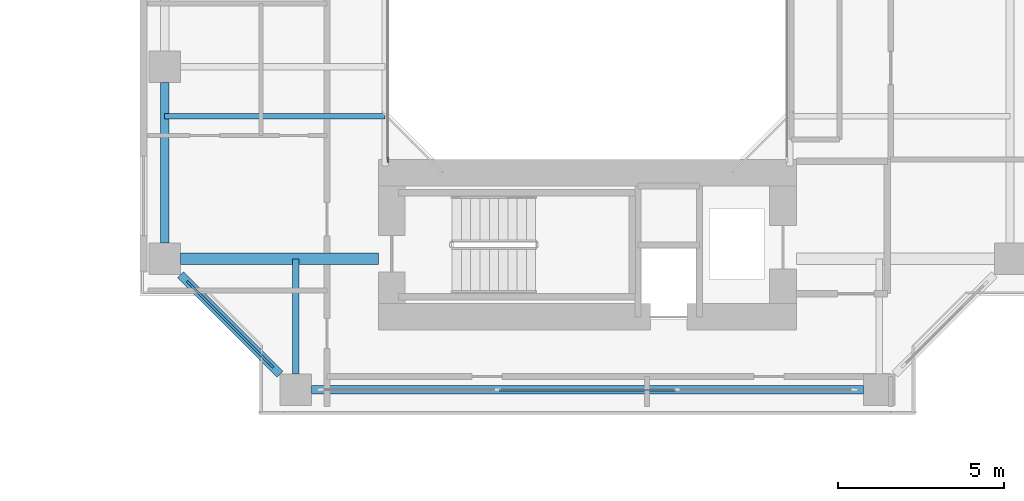
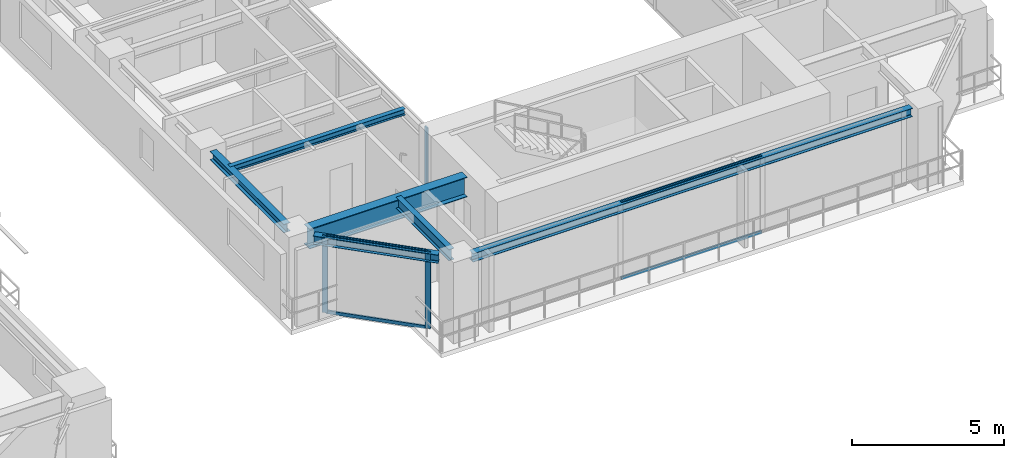
# One storey, part 6 of 23: 7 members, 6 beams, 3 elements without a shape of their own.
"""IFC4 building model written with IfcOpenShell, lengths in metres."""

from ifc_helpers import new_model, si_unit, direction, frame, origin, origin_2d, place, context, subcontext, project, spatial, rectangle, i_section, extrude, source, transform, mapped, material, layer, layer_set, material_profile, profile_set, type_object, element, aggregate, save


model = new_model("IFC4")

# Units and contexts
model_context = context("Model", 3, precision=1e-05, world=origin(), true_north=direction((0.0, 1.0)))
body_context = subcontext(model_context, "Body", "Model", "MODEL_VIEW")
ifc_project = project(units=[si_unit("LENGTHUNIT", "METRE"), si_unit("AREAUNIT", "SQUARE_METRE"), si_unit("VOLUMEUNIT", "CUBIC_METRE"), si_unit("PLANEANGLEUNIT", "RADIAN"), si_unit("MASSUNIT", "GRAM", prefix="KILO"), si_unit("THERMODYNAMICTEMPERATUREUNIT", "KELVIN"), si_unit("POWERUNIT", "WATT")], contexts=[model_context])

# Site, building, storey
site_placement = place(None, origin())
site = spatial("IfcSite", under=ifc_project, at=site_placement, CompositionType="ELEMENT")
building_placement = place(site_placement, origin())
building = spatial("IfcBuilding", under=site, at=building_placement, Name="Qiaomeng Ring Towers", CompositionType="ELEMENT")
storey_placement = place(building_placement, frame((0.0, 0.0, 29.5)))
storey = spatial("IfcBuildingStorey", under=building, at=storey_placement, Name="L07", CompositionType="ELEMENT", Elevation=29.5)

# Beams
ifc_material_1 = material(Name="Steel Q355B", Category="steel")
ifc_material_profile_1 = material_profile(ifc_material_1, i_section(OverallWidth=0.25, OverallDepth=0.340087890625, WebThickness=0.009033203125, FlangeThickness=0.013916015625, FilletRadius=0.02001953125, at=origin_2d()), Name="HM 340x250x9x14")
ifc_profile_set_1 = profile_set([ifc_material_profile_1], Name="Steel Q355B")
beam_type_1 = type_object("IfcBeamType", Name="STR-BM-HM340", PredefinedType="SPANDREL", material=ifc_profile_set_1)
shared_shape_1 = source(origin(), body_context, "Body", "SweptSolid", [
    extrude(i_section(OverallWidth=0.25, OverallDepth=0.340087890625, WebThickness=0.009033203125, FlangeThickness=0.013916015625, FilletRadius=0.02001953125, at=origin_2d()), origin(), (0.0, 0.0, 1.0), 16.65185546875),
])
beam_1_placement = place(storey_placement, frame((52.174072265625, 10.25, 2.89990234375), z_axis=(1.0, 0.0, 0.0), x_axis=(0.0, 1.0, 0.0)))
element("IfcBeam", 1, at=beam_1_placement, inside=storey, type_object=beam_type_1, Name="L07 beam STR-SP-L07-T2-S1-S2", PredefinedType="SPANDREL", context=body_context, shape_type="MappedRepresentation", body=[
    mapped(shared_shape_1, transform((0.0, 0.0, 0.0), x_axis=(1.0, 0.0, 0.0), y_axis=(0.0, 1.0, 0.0), z_axis=(0.0, 0.0, 1.0), scale=1.0)),
])
shared_shape_2 = source(origin(), body_context, "Body", "SweptSolid", [
    extrude(i_section(OverallWidth=0.25, OverallDepth=0.340087890625, WebThickness=0.009033203125, FlangeThickness=0.013916015625, FilletRadius=0.02001953125, at=origin_2d()), origin(), (0.0, 0.0, 1.0), 4.244384765625),
])
beam_2_placement = place(storey_placement, frame((48.224365234375, 13.7255859375, 2.89990234375), z_axis=(0.707106781187, -0.707106781187, 0.0), x_axis=(0.707106781187, 0.707106781187, 0.0)))
element("IfcBeam", 2, at=beam_2_placement, inside=storey, type_object=beam_type_1, Name="L07 beam STR-SP-L07-T2-W1-S1", PredefinedType="SPANDREL", context=body_context, shape_type="MappedRepresentation", body=[
    mapped(shared_shape_2, transform((0.0, 0.0, 0.0), x_axis=(1.0, 0.0, 0.0), y_axis=(0.0, 1.0, 0.0), z_axis=(0.0, 0.0, 1.0), scale=1.0)),
])
shared_shape_3 = source(origin(), body_context, "Body", "SweptSolid", [
    extrude(i_section(OverallWidth=0.25, OverallDepth=0.340087890625, WebThickness=0.009033203125, FlangeThickness=0.013916015625, FilletRadius=0.02001953125, at=origin_2d()), origin(), (0.0, 0.0, 1.0), 4.851806640625),
])
beam_3_placement = place(storey_placement, frame((47.75, 19.52587890625, 2.89990234375), z_axis=(0.0, -1.0, 0.0), x_axis=(1.0, 0.0, 0.0)))
element("IfcBeam", 3, at=beam_3_placement, inside=storey, type_object=beam_type_1, Name="L07 beam STR-SP-L07-T2-W2-W1", PredefinedType="SPANDREL", context=body_context, shape_type="MappedRepresentation", body=[
    mapped(shared_shape_3, transform((0.0, 0.0, 0.0), x_axis=(1.0, 0.0, 0.0), y_axis=(0.0, 1.0, 0.0), z_axis=(0.0, 0.0, 1.0), scale=1.0)),
])
ifc_material_2 = material(Name="Steel Q390GJC", Category="steel")
ifc_material_profile_2 = material_profile(ifc_material_2, i_section(OverallWidth=0.35009765625, OverallDepth=0.800048828125, WebThickness=0.01611328125, FlangeThickness=0.028076171875, at=origin_2d()), Name="WH 800x350x16x28")
ifc_profile_set_2 = profile_set([ifc_material_profile_2], Name="Steel Q390GJC")
beam_type_2 = type_object("IfcBeamType", Name="STR-BM-WH800", PredefinedType="BEAM", material=ifc_profile_set_2)
shared_shape_4 = source(origin(), body_context, "Body", "SweptSolid", [
    extrude(i_section(OverallWidth=0.35009765625, OverallDepth=0.800048828125, WebThickness=0.01611328125, FlangeThickness=0.028076171875, at=origin_2d()), origin(), (0.0, 0.0, 1.0), 5.975830078125),
])
beam_4_placement = place(storey_placement, frame((48.22412109375, 14.199951171875, 2.669921875), z_axis=(1.0, 0.0, 0.0), x_axis=(0.0, 1.0, 0.0)))
element("IfcBeam", 4, at=beam_4_placement, inside=storey, type_object=beam_type_2, Name="L07 beam STR-BM-L07-T2-RAD-W1", PredefinedType="BEAM", context=body_context, shape_type="MappedRepresentation", body=[
    mapped(shared_shape_4, transform((0.0, 0.0, 0.0), x_axis=(1.0, 0.0, 0.0), y_axis=(0.0, 1.0, 0.0), z_axis=(0.0, 0.0, 1.0), scale=1.0)),
])
ifc_material_profile_3 = material_profile(ifc_material_1, i_section(OverallWidth=0.199951171875, OverallDepth=0.449951171875, WebThickness=0.009033203125, FlangeThickness=0.013916015625, FilletRadius=0.01806640625, at=origin_2d()), Name="HN 450x200x9x14")
ifc_profile_set_3 = profile_set([ifc_material_profile_3], Name="Steel Q355B")
beam_type_3 = type_object("IfcBeamType", Name="STR-BM-HN450", PredefinedType="SPANDREL", material=ifc_profile_set_3)
shared_shape_5 = source(origin(), body_context, "Body", "SweptSolid", [
    extrude(i_section(OverallWidth=0.199951171875, OverallDepth=0.449951171875, WebThickness=0.009033203125, FlangeThickness=0.013916015625, FilletRadius=0.01806640625, at=origin_2d()), origin(), (0.0, 0.0, 1.0), 3.475830078125),
])
beam_5_placement = place(storey_placement, frame((51.699951171875, 10.72412109375, 2.844970703125), z_axis=(0.0, 1.0, 0.0), x_axis=(-1.0, 0.0, 0.0)))
element("IfcBeam", 5, at=beam_5_placement, inside=storey, type_object=beam_type_3, Name="L07 beam STR-BM-L07-T2-RAD-S1", PredefinedType="SPANDREL", context=body_context, shape_type="MappedRepresentation", body=[
    mapped(shared_shape_5, transform((0.0, 0.0, 0.0), x_axis=(1.0, 0.0, 0.0), y_axis=(0.0, 1.0, 0.0), z_axis=(0.0, 0.0, 1.0), scale=1.0)),
])
ifc_material_profile_4 = material_profile(ifc_material_1, i_section(OverallWidth=0.175048828125, OverallDepth=0.243896484375, WebThickness=0.007080078125, FlangeThickness=0.010986328125, FilletRadius=0.01611328125, at=origin_2d()), Name="HM 244x175x7x11")
ifc_profile_set_4 = profile_set([ifc_material_profile_4], Name="Steel Q355B")
beam_type_4 = type_object("IfcBeamType", Name="STR-BM-HM244", PredefinedType="JOIST", material=ifc_profile_set_4)
shared_shape_6 = source(origin(), body_context, "Body", "SweptSolid", [
    extrude(i_section(OverallWidth=0.175048828125, OverallDepth=0.243896484375, WebThickness=0.007080078125, FlangeThickness=0.010986328125, FilletRadius=0.01611328125, at=origin_2d()), origin(), (0.0, 0.0, 1.0), 6.64990234375),
])
beam_6_placement = place(storey_placement, frame((47.75, 18.5, 2.947998046875), z_axis=(1.0, 0.0, 0.0), x_axis=(0.0, 1.0, 0.0)))
element("IfcBeam", 6, at=beam_6_placement, inside=storey, type_object=beam_type_4, Name="L07 beam STR-JST-L07-T2W-1", PredefinedType="JOIST", context=body_context, shape_type="MappedRepresentation", body=[
    mapped(shared_shape_6, transform((0.0, 0.0, 0.0), x_axis=(1.0, 0.0, 0.0), y_axis=(0.0, 1.0, 0.0), z_axis=(0.0, 0.0, 1.0), scale=1.0)),
])

# Curtain wall, member
ifc_material_3 = material(Name="Fluorocarbon dark-grey aluminium", Category="aluminium")
ifc_layer_1 = layer(ifc_material_3, 0.139892578125, Name="Fluorocarbon dark-grey aluminium")
ifc_layer_set_1 = layer_set([ifc_layer_1], Name="Fluorocarbon dark-grey aluminium")
curtain_wall_type_1 = type_object("IfcCurtainWallType", Name="ARC-CW-4", PredefinedType="NOTDEFINED", material=ifc_layer_set_1)
curtain_wall_1_placement = place(storey_placement, origin())
curtain_wall_1 = element("IfcCurtainWall", 7, at=curtain_wall_1_placement, inside=storey, type_object=curtain_wall_type_1, Name="L07 Curtain Wall CW4", PredefinedType="NOTDEFINED")
ifc_material_profile_5 = material_profile(ifc_material_3, rectangle(XDim=0.06494140625, YDim=0.159912109375, at=origin_2d()), Name="ALU MULL 65x160")
ifc_profile_set_5 = profile_set([ifc_material_profile_5], Name="Fluorocarbon dark-grey aluminium")
member_type_1 = type_object("IfcMemberType", Name="ARC-CWM-140", PredefinedType="MULLION", material=ifc_profile_set_5)
shared_shape_7 = source(origin(), body_context, "Body", "SweptSolid", [
    extrude(rectangle(XDim=0.06494140625, YDim=0.159912109375, at=origin_2d()), origin(), (0.0, 0.0, 1.0), 3.070068359375),
])
member_1_placement = place(storey_placement, frame((54.47998046875, 17.1826171875, 0.0), z_axis=(0.0, 0.0, 1.0), x_axis=(-1.0, 0.0, 0.0)))
member_1 = element("IfcMember", 8, at=member_1_placement, type_object=member_type_1, Name="CW4 mullion 1", PredefinedType="MULLION", context=body_context, shape_type="MappedRepresentation", body=[
    mapped(shared_shape_7, transform((0.0, 0.0, 0.0), x_axis=(1.0, 0.0, 0.0), y_axis=(0.0, 1.0, 0.0), z_axis=(0.0, 0.0, 1.0), scale=1.0)),
])
aggregate(curtain_wall_1, [member_1])

# Curtain wall, members
ifc_layer_2 = layer(ifc_material_3, 0.14990234375, Name="Fluorocarbon dark-grey aluminium")
ifc_layer_set_2 = layer_set([ifc_layer_2], Name="Fluorocarbon dark-grey aluminium")
curtain_wall_type_2 = type_object("IfcCurtainWallType", Name="ARC-CW-5", PredefinedType="NOTDEFINED", material=ifc_layer_set_2)
curtain_wall_2_placement = place(storey_placement, origin())
curtain_wall_2 = element("IfcCurtainWall", 9, at=curtain_wall_2_placement, inside=storey, type_object=curtain_wall_type_2, Name="L07 Curtain Wall CW5", PredefinedType="NOTDEFINED")
ifc_material_profile_6 = material_profile(ifc_material_3, rectangle(XDim=0.070068359375, YDim=0.179931640625, at=origin_2d()), Name="ALU MULL 70x180")
ifc_profile_set_6 = profile_set([ifc_material_profile_6], Name="Fluorocarbon dark-grey aluminium")
member_type_2 = type_object("IfcMemberType", Name="ARC-CWM-160", PredefinedType="MULLION", material=ifc_profile_set_6)
shared_shape_8 = source(origin(), body_context, "Body", "SweptSolid", [
    extrude(rectangle(XDim=0.070068359375, YDim=0.179931640625, at=origin_2d()), origin(), (0.0, 0.0, 1.0), 3.070068359375),
])
member_2_placement = place(storey_placement, frame((48.48974609375, 13.460205078125, 0.0), z_axis=(0.0, 0.0, 1.0), x_axis=(0.707106781187, 0.707106781187, 0.0)))
member_2 = element("IfcMember", 10, at=member_2_placement, type_object=member_type_2, Name="CW5 mullion 1", PredefinedType="MULLION", context=body_context, shape_type="MappedRepresentation", body=[
    mapped(shared_shape_8, transform((0.0, 0.0, 0.0), x_axis=(1.0, 0.0, 0.0), y_axis=(0.0, 1.0, 0.0), z_axis=(0.0, 0.0, 1.0), scale=1.0)),
])
member_3_placement = place(storey_placement, frame((50.960205078125, 10.98974609375, 0.0), z_axis=(0.0, 0.0, 1.0), x_axis=(0.707106781187, 0.707106781187, 0.0)))
member_3 = element("IfcMember", 11, at=member_3_placement, type_object=member_type_2, Name="CW5 mullion 2", PredefinedType="MULLION", context=body_context, shape_type="MappedRepresentation", body=[
    mapped(shared_shape_8, transform((0.0, 0.0, 0.0), x_axis=(1.0, 0.0, 0.0), y_axis=(0.0, 1.0, 0.0), z_axis=(0.0, 0.0, 1.0), scale=1.0)),
])

curtain_wall_3_placement = place(storey_placement, origin())
curtain_wall_3 = element("IfcCurtainWall", 12, at=curtain_wall_3_placement, inside=storey, type_object=curtain_wall_type_2, Name="L07 Curtain Wall CW5", PredefinedType="NOTDEFINED")
ifc_material_profile_7 = material_profile(ifc_material_3, rectangle(XDim=0.06494140625, YDim=0.1298828125, at=origin_2d()), Name="ALU TRAN 65x130")
ifc_profile_set_7 = profile_set([ifc_material_profile_7], Name="Fluorocarbon dark-grey aluminium")
member_type_3 = type_object("IfcMemberType", Name="ARC-CWT-120", PredefinedType="USERDEFINED", material=ifc_profile_set_7)
shared_shape_9 = source(origin(), body_context, "Body", "SweptSolid", [
    extrude(rectangle(XDim=0.06494140625, YDim=0.1298828125, at=origin_2d()), origin(), (0.0, 0.0, 1.0), 5.31982421875),
])
member_4_placement = place(storey_placement, frame((57.840087890625, 10.25, 0.032470703125), z_axis=(1.0, 0.0, 0.0), x_axis=(0.0, 1.0, 0.0)))
member_4 = element("IfcMember", 13, at=member_4_placement, type_object=member_type_3, Name="CW5 transom 2.1", ObjectType="TRANSOM", PredefinedType="USERDEFINED", context=body_context, shape_type="MappedRepresentation", body=[
    mapped(shared_shape_9, transform((0.0, 0.0, 0.0), x_axis=(1.0, 0.0, 0.0), y_axis=(0.0, 1.0, 0.0), z_axis=(0.0, 0.0, 1.0), scale=1.0)),
])
member_5_placement = place(storey_placement, frame((57.840087890625, 10.25, 3.03759765625), z_axis=(1.0, 0.0, 0.0), x_axis=(0.0, 1.0, 0.0)))
member_5 = element("IfcMember", 14, at=member_5_placement, type_object=member_type_3, Name="CW5 transom 2.2", ObjectType="TRANSOM", PredefinedType="USERDEFINED", context=body_context, shape_type="MappedRepresentation", body=[
    mapped(shared_shape_9, transform((0.0, 0.0, 0.0), x_axis=(1.0, 0.0, 0.0), y_axis=(0.0, 1.0, 0.0), z_axis=(0.0, 0.0, 1.0), scale=1.0)),
])
aggregate(curtain_wall_3, [member_4, member_5])

# Member
shared_shape_10 = source(origin(), body_context, "Body", "SweptSolid", [
    extrude(rectangle(XDim=0.06494140625, YDim=0.1298828125, at=origin_2d()), origin(), (0.0, 0.0, 1.0), 3.424072265625),
])
member_6_placement = place(storey_placement, frame((48.514404296875, 13.435546875, 0.032470703125), z_axis=(0.707106781187, -0.707106781187, 0.0), x_axis=(0.707106781187, 0.707106781187, 0.0)))
member_6 = element("IfcMember", 15, at=member_6_placement, type_object=member_type_3, Name="CW5 transom 1.1", ObjectType="TRANSOM", PredefinedType="USERDEFINED", context=body_context, shape_type="MappedRepresentation", body=[
    mapped(shared_shape_10, transform((0.0, 0.0, 0.0), x_axis=(1.0, 0.0, 0.0), y_axis=(0.0, 1.0, 0.0), z_axis=(0.0, 0.0, 1.0), scale=1.0)),
])

member_7_placement = place(storey_placement, frame((48.514404296875, 13.435546875, 3.03759765625), z_axis=(0.707106781187, -0.707106781187, 0.0), x_axis=(0.707106781187, 0.707106781187, 0.0)))
member_7 = element("IfcMember", 16, at=member_7_placement, type_object=member_type_3, Name="CW5 transom 1.2", ObjectType="TRANSOM", PredefinedType="USERDEFINED", context=body_context, shape_type="MappedRepresentation", body=[
    mapped(shared_shape_10, transform((0.0, 0.0, 0.0), x_axis=(1.0, 0.0, 0.0), y_axis=(0.0, 1.0, 0.0), z_axis=(0.0, 0.0, 1.0), scale=1.0)),
])

aggregate(curtain_wall_2, [member_2, member_3, member_6, member_7])

save(model, "model.ifc")
